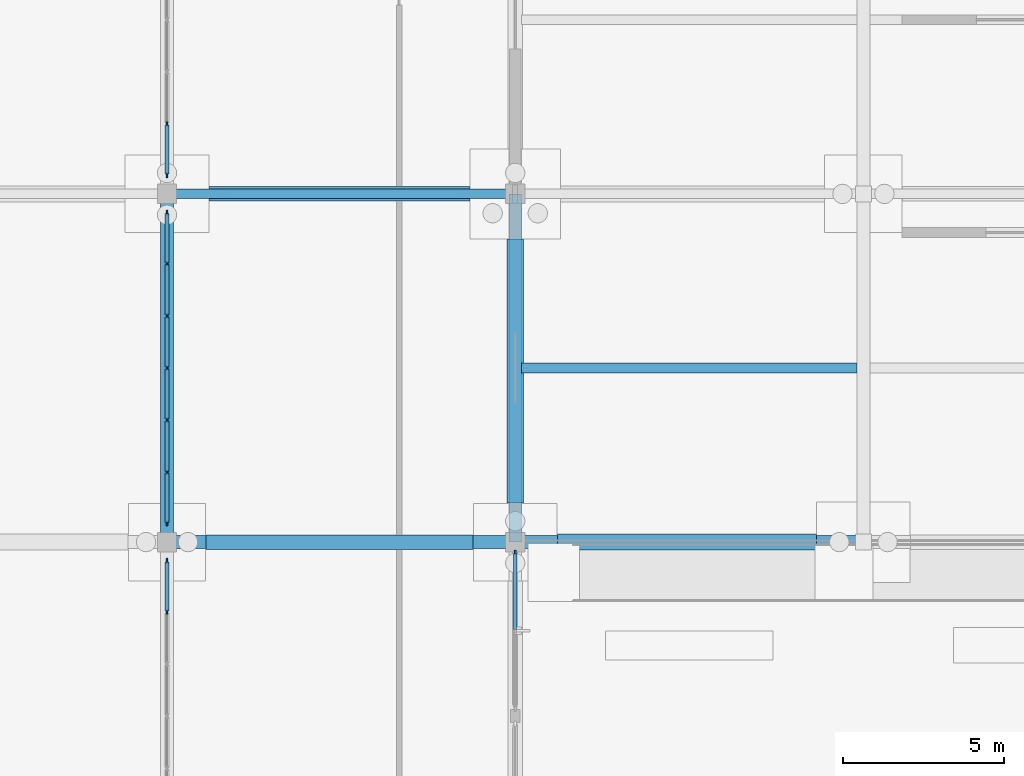
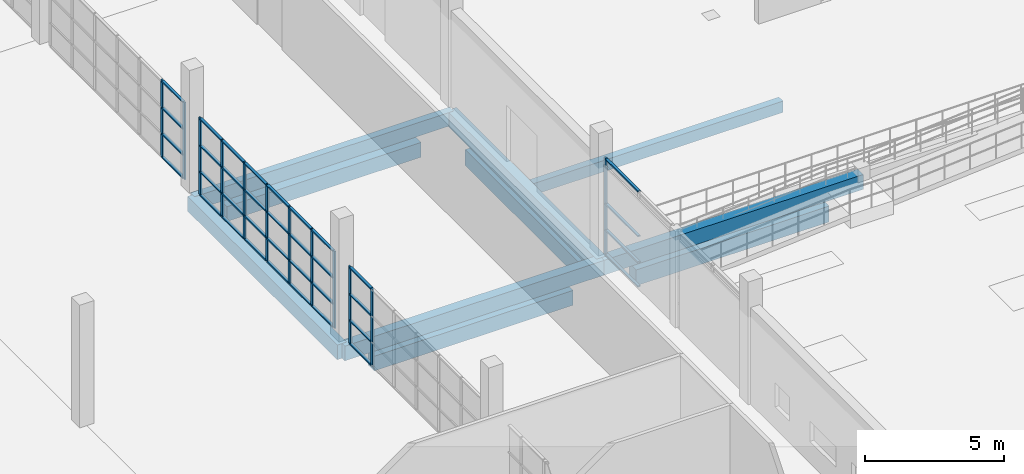
# One storey, part 26 of 138: 48 members, 10 beams, 4 elements without a shape of their own.
"""IFC4 building model written with IfcOpenShell, lengths in metres."""

from ifc_helpers import new_model, si_unit, direction, frame, origin, origin_2d, place, context, subcontext, project, spatial, rectangle, extrude, material, material_profile, profile_set, type_object, element, aggregate, save


model = new_model("IFC4")

# Units and contexts
model_context = context("Model", 3, precision=1e-05, world=origin(), true_north=direction((0.0, 1.0)))
body_context = subcontext(model_context, "Body", "Model", "MODEL_VIEW")
ifc_project = project(units=[si_unit("LENGTHUNIT", "METRE"), si_unit("AREAUNIT", "SQUARE_METRE"), si_unit("VOLUMEUNIT", "CUBIC_METRE"), si_unit("PLANEANGLEUNIT", "RADIAN"), si_unit("MASSUNIT", "GRAM", prefix="KILO")], contexts=[model_context])

# Site, building, storey
site_placement = place(None, origin())
site = spatial("IfcSite", under=ifc_project, at=site_placement, CompositionType="ELEMENT")
building_placement = place(site_placement, origin())
building = spatial("IfcBuilding", under=site, at=building_placement, Name="Zwinboog Wholesale Market", CompositionType="ELEMENT")
storey_placement = place(building_placement, origin())
storey = spatial("IfcBuildingStorey", under=building, at=storey_placement, Name="L00", CompositionType="ELEMENT", Elevation=0.0)

# Beams
ifc_material_1 = material(Name="Precast concrete C45/55", Category="concrete")
ifc_material_profile_1 = material_profile(ifc_material_1, rectangle(XDim=0.39990234375, YDim=0.64990234375, at=origin_2d()), Name="PC 400x650")
ifc_profile_set_1 = profile_set([ifc_material_profile_1], Name="Precast concrete C45/55")
beam_type_1 = type_object("IfcBeamType", Name="BT-05", PredefinedType="BEAM", material=ifc_profile_set_1)
for number, where, z_axis, x_axis, name in (
    (1, (32.39990234375, 32.39990234375, -0.675048828125), (1.0, 0.0, 0.0), (0.0, 1.0, 0.0), "BG-05 (BMG-L00-0324-0324-0046)"),
    (2, (32.39990234375, 32.39990234375, -0.675048828125), (0.0, 1.0, 0.0), (-1.0, 0.0, 0.0), "BG-05 (BMG-L00-0324-0324-0250)"),
    (3, (43.199951171875, 32.39990234375, -0.675048828125), (0.0, 1.0, 0.0), (-1.0, 0.0, 0.0), "BG-05 (BMG-L00-0432-0324-0262)"),
    (4, (43.199951171875, 32.39990234375, -0.675048828125), (1.0, 0.0, 0.0), (0.0, 1.0, 0.0), "BG-05 (BM-TER-L00-0001)"),
):
    element("IfcBeam", number, at=place(storey_placement, frame(where, z_axis=z_axis, x_axis=x_axis)), inside=storey, type_object=beam_type_1, Name=name, PredefinedType="BEAM", context=body_context, shape_type="SweptSolid", body=[
        extrude(rectangle(XDim=0.39990234375, YDim=0.64990234375, at=origin_2d()), origin(), (0.0, 0.0, 1.0), 10.800048828125),
    ])
ifc_material_profile_2 = material_profile(ifc_material_1, rectangle(XDim=0.300048828125, YDim=0.60009765625, at=origin_2d()), Name="PC 300x600")
ifc_profile_set_2 = profile_set([ifc_material_profile_2], Name="Precast concrete C45/55")
beam_type_2 = type_object("IfcBeamType", Name="BT-09", PredefinedType="SPANDREL", material=ifc_profile_set_2)
beam_1_placement = place(storey_placement, frame((32.39990234375, 43.199951171875, -0.64990234375), z_axis=(1.0, 0.0, 0.0), x_axis=(0.0, 1.0, 0.0)))
element("IfcBeam", 5, at=beam_1_placement, inside=storey, type_object=beam_type_2, Name="SP-02 (BMG-L00-0324-0432-0058)", PredefinedType="SPANDREL", context=body_context, shape_type="SweptSolid", body=[
    extrude(rectangle(XDim=0.300048828125, YDim=0.60009765625, at=origin_2d()), origin(), (0.0, 0.0, 1.0), 10.800048828125),
])
ifc_material_profile_3 = material_profile(ifc_material_1, rectangle(XDim=0.300048828125, YDim=0.5, at=origin_2d()), Name="PC 300x500")
ifc_profile_set_3 = profile_set([ifc_material_profile_3], Name="Precast concrete C45/55")
beam_type_3 = type_object("IfcBeamType", Name="BT-10", PredefinedType="JOIST", material=ifc_profile_set_3)
beam_2_placement = place(storey_placement, frame((43.39990234375, 37.800048828125, -0.60009765625), z_axis=(1.0, 0.0, 0.0), x_axis=(0.0, 1.0, 0.0)))
element("IfcBeam", 6, at=beam_2_placement, inside=storey, type_object=beam_type_3, Name="BJ-01 (BM-TER-L00-0030)", PredefinedType="JOIST", context=body_context, shape_type="SweptSolid", body=[
    extrude(rectangle(XDim=0.300048828125, YDim=0.5, at=origin_2d()), origin(), (0.0, 0.0, 1.0), 10.400146484375),
])
ifc_material_2 = material(Name="Concrete C35/45", Category="concrete")
ifc_material_profile_4 = material_profile(ifc_material_2, rectangle(XDim=0.5, YDim=0.699951171875, at=origin_2d()), Name="RC 500x700")
ifc_profile_set_4 = profile_set([ifc_material_profile_4], Name="Concrete C35/45")
beam_type_4 = type_object("IfcBeamType", Name="BT-12", PredefinedType="USERDEFINED", material=ifc_profile_set_4)
beam_3_placement = place(storey_placement, frame((44.5048828125, 32.39990234375, -1.550048828125), z_axis=(1.0, 0.0, 0.0), x_axis=(0.0, 1.0, 0.0)))
element("IfcBeam", 7, at=beam_3_placement, inside=storey, type_object=beam_type_4, Name="GB-01 (BM-GB-0019)", ObjectType="GROUND_BEAM", PredefinedType="USERDEFINED", context=body_context, shape_type="SweptSolid", body=[
    extrude(rectangle(XDim=0.5, YDim=0.699951171875, at=origin_2d()), origin(), (0.0, 0.0, 1.0), 8.0400390625),
])
beam_4_placement = place(storey_placement, frame((43.199951171875, 33.60498046875, -1.550048828125), z_axis=(0.0, 1.0, 0.0), x_axis=(-1.0, 0.0, 0.0)))
element("IfcBeam", 8, at=beam_4_placement, inside=storey, type_object=beam_type_4, Name="GB-01 (BM-GB-0142)", ObjectType="GROUND_BEAM", PredefinedType="USERDEFINED", context=body_context, shape_type="SweptSolid", body=[
    extrude(rectangle(XDim=0.5, YDim=0.699951171875, at=origin_2d()), origin(), (0.0, 0.0, 1.0), 8.18994140625),
])
ifc_material_profile_5 = material_profile(ifc_material_2, rectangle(XDim=0.449951171875, YDim=0.64990234375, at=origin_2d()), Name="RC 450x650")
ifc_profile_set_5 = profile_set([ifc_material_profile_5], Name="Concrete C35/45")
beam_type_5 = type_object("IfcBeamType", Name="BT-13", PredefinedType="USERDEFINED", material=ifc_profile_set_5)
beam_5_placement = place(storey_placement, frame((33.60498046875, 32.39990234375, -1.52490234375), z_axis=(1.0, 0.0, 0.0), x_axis=(0.0, 1.0, 0.0)))
element("IfcBeam", 9, at=beam_5_placement, inside=storey, type_object=beam_type_5, Name="GB-02 (BM-GB-0018)", ObjectType="GROUND_BEAM", PredefinedType="USERDEFINED", context=body_context, shape_type="SweptSolid", body=[
    extrude(rectangle(XDim=0.449951171875, YDim=0.64990234375, at=origin_2d()), origin(), (0.0, 0.0, 1.0), 8.2900390625),
])
beam_6_placement = place(storey_placement, frame((33.705078125, 43.199951171875, -1.52490234375), z_axis=(1.0, 0.0, 0.0), x_axis=(0.0, 1.0, 0.0)))
element("IfcBeam", 10, at=beam_6_placement, inside=storey, type_object=beam_type_5, Name="GB-02 (BM-GB-0036)", ObjectType="GROUND_BEAM", PredefinedType="USERDEFINED", context=body_context, shape_type="SweptSolid", body=[
    extrude(rectangle(XDim=0.449951171875, YDim=0.64990234375, at=origin_2d()), origin(), (0.0, 0.0, 1.0), 8.08984375),
])

# Curtain wall, members
ifc_material_3 = material(Name="Aluminium thermally broken curtain wall", Category="aluminium")
curtain_wall_type_1 = type_object("IfcCurtainWallType", Name="CWT-OFF-15", PredefinedType="USERDEFINED", material=ifc_material_3)
curtain_wall_1_placement = place(storey_placement, origin())
curtain_wall_1 = element("IfcCurtainWall", 11, at=curtain_wall_1_placement, inside=storey, type_object=curtain_wall_type_1, Name="CW-06 (CW-L00-024)", ObjectType="UNITIZED_CURTAIN_WALL", PredefinedType="USERDEFINED")
ifc_material_4 = material(Name="Aluminium EN AW-6060", Category="aluminium")
ifc_material_profile_6 = material_profile(ifc_material_4, rectangle(XDim=0.06005859375, YDim=0.14990234375, at=origin_2d()), Name="AL 60x150")
ifc_profile_set_6 = profile_set([ifc_material_profile_6], Name="Aluminium EN AW-6060")
member_type_1 = type_object("IfcMemberType", Name="CWM-60x150", PredefinedType="MULLION", material=ifc_profile_set_6)
member_1_placement = place(storey_placement, frame((43.199951171875, 32.074951171875, 0.0), z_axis=(0.0, 0.0, 1.0), x_axis=(-1.0, 0.0, 0.0)))
member_1 = element("IfcMember", 12, at=member_1_placement, type_object=member_type_1, Name="CW-06 mullion 3", PredefinedType="MULLION", context=body_context, shape_type="SweptSolid", body=[
    extrude(rectangle(XDim=0.06005859375, YDim=0.14990234375, at=origin_2d()), origin(), (0.0, 0.0, 1.0), 4.25),
])
ifc_material_profile_7 = material_profile(ifc_material_4, rectangle(XDim=0.110107421875, YDim=0.06005859375, at=origin_2d()), Name="AL 60x110")
ifc_profile_set_7 = profile_set([ifc_material_profile_7], Name="Aluminium EN AW-6060")
member_type_2 = type_object("IfcMemberType", Name="CWT-60x110", PredefinedType="USERDEFINED", material=ifc_profile_set_7)
member_2_placement = place(storey_placement, frame((43.199951171875, 29.6826171875, 0.030029296875), z_axis=(0.0, 1.0, 0.0), x_axis=(-1.0, 0.0, 0.0)))
member_2 = element("IfcMember", 13, at=member_2_placement, type_object=member_type_2, Name="CW-06 transom 2.1", ObjectType="TRANSOM", PredefinedType="USERDEFINED", context=body_context, shape_type="SweptSolid", body=[
    extrude(rectangle(XDim=0.110107421875, YDim=0.06005859375, at=origin_2d()), origin(), (0.0, 0.0, 1.0), 2.3623046875),
])
member_3_placement = place(storey_placement, frame((43.199951171875, 29.6826171875, 1.10009765625), z_axis=(0.0, 1.0, 0.0), x_axis=(-1.0, 0.0, 0.0)))
member_3 = element("IfcMember", 14, at=member_3_placement, type_object=member_type_2, Name="CW-06 transom 2.2", ObjectType="TRANSOM", PredefinedType="USERDEFINED", context=body_context, shape_type="SweptSolid", body=[
    extrude(rectangle(XDim=0.110107421875, YDim=0.06005859375, at=origin_2d()), origin(), (0.0, 0.0, 1.0), 2.3623046875),
])
member_4_placement = place(storey_placement, frame((43.199951171875, 29.6826171875, 2.25), z_axis=(0.0, 1.0, 0.0), x_axis=(-1.0, 0.0, 0.0)))
member_4 = element("IfcMember", 15, at=member_4_placement, type_object=member_type_2, Name="CW-06 transom 2.3", ObjectType="TRANSOM", PredefinedType="USERDEFINED", context=body_context, shape_type="SweptSolid", body=[
    extrude(rectangle(XDim=0.110107421875, YDim=0.06005859375, at=origin_2d()), origin(), (0.0, 0.0, 1.0), 2.3623046875),
])
member_5_placement = place(storey_placement, frame((43.199951171875, 29.6826171875, 4.219970703125), z_axis=(0.0, 1.0, 0.0), x_axis=(-1.0, 0.0, 0.0)))
member_5 = element("IfcMember", 16, at=member_5_placement, type_object=member_type_2, Name="CW-06 transom 2.4", ObjectType="TRANSOM", PredefinedType="USERDEFINED", context=body_context, shape_type="SweptSolid", body=[
    extrude(rectangle(XDim=0.110107421875, YDim=0.06005859375, at=origin_2d()), origin(), (0.0, 0.0, 1.0), 2.3623046875),
])
aggregate(curtain_wall_1, [member_1, member_2, member_3, member_4, member_5])

curtain_wall_type_2 = type_object("IfcCurtainWallType", Name="CWT-INT-STALL", PredefinedType="USERDEFINED", material=ifc_material_3)
curtain_wall_2_placement = place(storey_placement, origin())
curtain_wall_2 = element("IfcCurtainWall", 17, at=curtain_wall_2_placement, inside=storey, type_object=curtain_wall_type_2, Name="CW-07 (CW-STL-219)", ObjectType="STOREFRONT_GLAZING", PredefinedType="USERDEFINED")
ifc_material_profile_8 = material_profile(ifc_material_4, rectangle(XDim=0.06005859375, YDim=0.14990234375, at=origin_2d()), Name="AL 60x150")
ifc_profile_set_8 = profile_set([ifc_material_profile_8], Name="Aluminium EN AW-6060")
member_type_3 = type_object("IfcMemberType", Name="CWM-INT-60x120", PredefinedType="MULLION", material=ifc_profile_set_8)
member_6_placement = place(storey_placement, frame((32.39990234375, 30.2333984375, 0.0), z_axis=(0.0, 0.0, 1.0), x_axis=(-1.0, 0.0, 0.0)))
member_6 = element("IfcMember", 18, at=member_6_placement, type_object=member_type_3, Name="CW-07 mullion 6", PredefinedType="MULLION", context=body_context, shape_type="SweptSolid", body=[
    extrude(rectangle(XDim=0.06005859375, YDim=0.14990234375, at=origin_2d()), origin(), (0.0, 0.0, 1.0), 3.39990234375),
])
member_7_placement = place(storey_placement, frame((32.39990234375, 31.820068359375, 0.0), z_axis=(0.0, 0.0, 1.0), x_axis=(-1.0, 0.0, 0.0)))
member_7 = element("IfcMember", 19, at=member_7_placement, type_object=member_type_3, Name="CW-07 mullion 7", PredefinedType="MULLION", context=body_context, shape_type="SweptSolid", body=[
    extrude(rectangle(XDim=0.06005859375, YDim=0.14990234375, at=origin_2d()), origin(), (0.0, 0.0, 1.0), 3.39990234375),
])

curtain_wall_3_placement = place(storey_placement, origin())
curtain_wall_3 = element("IfcCurtainWall", 20, at=curtain_wall_3_placement, inside=storey, type_object=curtain_wall_type_2, Name="CW-07 (CW-STL-220)", ObjectType="STOREFRONT_GLAZING", PredefinedType="USERDEFINED")
member_8_placement = place(storey_placement, frame((32.39990234375, 32.97998046875, 0.0), z_axis=(0.0, 0.0, 1.0), x_axis=(-1.0, 0.0, 0.0)))
member_8 = element("IfcMember", 21, at=member_8_placement, type_object=member_type_3, Name="CW-07 mullion 1", PredefinedType="MULLION", context=body_context, shape_type="SweptSolid", body=[
    extrude(rectangle(XDim=0.06005859375, YDim=0.14990234375, at=origin_2d()), origin(), (0.0, 0.0, 1.0), 3.39990234375),
])
member_9_placement = place(storey_placement, frame((32.39990234375, 34.566650390625, 0.0), z_axis=(0.0, 0.0, 1.0), x_axis=(-1.0, 0.0, 0.0)))
member_9 = element("IfcMember", 22, at=member_9_placement, type_object=member_type_3, Name="CW-07 mullion 2", PredefinedType="MULLION", context=body_context, shape_type="SweptSolid", body=[
    extrude(rectangle(XDim=0.06005859375, YDim=0.14990234375, at=origin_2d()), origin(), (0.0, 0.0, 1.0), 3.39990234375),
])
member_10_placement = place(storey_placement, frame((32.39990234375, 36.183349609375, 0.0), z_axis=(0.0, 0.0, 1.0), x_axis=(-1.0, 0.0, 0.0)))
member_10 = element("IfcMember", 23, at=member_10_placement, type_object=member_type_3, Name="CW-07 mullion 3", PredefinedType="MULLION", context=body_context, shape_type="SweptSolid", body=[
    extrude(rectangle(XDim=0.06005859375, YDim=0.14990234375, at=origin_2d()), origin(), (0.0, 0.0, 1.0), 3.39990234375),
])
member_11_placement = place(storey_placement, frame((32.39990234375, 37.800048828125, 0.0), z_axis=(0.0, 0.0, 1.0), x_axis=(-1.0, 0.0, 0.0)))
member_11 = element("IfcMember", 24, at=member_11_placement, type_object=member_type_3, Name="CW-07 mullion 4", PredefinedType="MULLION", context=body_context, shape_type="SweptSolid", body=[
    extrude(rectangle(XDim=0.06005859375, YDim=0.14990234375, at=origin_2d()), origin(), (0.0, 0.0, 1.0), 3.39990234375),
])
member_12_placement = place(storey_placement, frame((32.39990234375, 39.416748046875, 0.0), z_axis=(0.0, 0.0, 1.0), x_axis=(-1.0, 0.0, 0.0)))
member_12 = element("IfcMember", 25, at=member_12_placement, type_object=member_type_3, Name="CW-07 mullion 5", PredefinedType="MULLION", context=body_context, shape_type="SweptSolid", body=[
    extrude(rectangle(XDim=0.06005859375, YDim=0.14990234375, at=origin_2d()), origin(), (0.0, 0.0, 1.0), 3.39990234375),
])
member_13_placement = place(storey_placement, frame((32.39990234375, 41.033447265625, 0.0), z_axis=(0.0, 0.0, 1.0), x_axis=(-1.0, 0.0, 0.0)))
member_13 = element("IfcMember", 26, at=member_13_placement, type_object=member_type_3, Name="CW-07 mullion 6", PredefinedType="MULLION", context=body_context, shape_type="SweptSolid", body=[
    extrude(rectangle(XDim=0.06005859375, YDim=0.14990234375, at=origin_2d()), origin(), (0.0, 0.0, 1.0), 3.39990234375),
])
member_14_placement = place(storey_placement, frame((32.39990234375, 42.6201171875, 0.0), z_axis=(0.0, 0.0, 1.0), x_axis=(-1.0, 0.0, 0.0)))
member_14 = element("IfcMember", 27, at=member_14_placement, type_object=member_type_3, Name="CW-07 mullion 7", PredefinedType="MULLION", context=body_context, shape_type="SweptSolid", body=[
    extrude(rectangle(XDim=0.06005859375, YDim=0.14990234375, at=origin_2d()), origin(), (0.0, 0.0, 1.0), 3.39990234375),
])

curtain_wall_4_placement = place(storey_placement, origin())
curtain_wall_4 = element("IfcCurtainWall", 28, at=curtain_wall_4_placement, inside=storey, type_object=curtain_wall_type_2, Name="CW-07 (CW-STL-221)", ObjectType="STOREFRONT_GLAZING", PredefinedType="USERDEFINED")
member_15_placement = place(storey_placement, frame((32.39990234375, 43.780029296875, 0.0), z_axis=(0.0, 0.0, 1.0), x_axis=(-1.0, 0.0, 0.0)))
member_15 = element("IfcMember", 29, at=member_15_placement, type_object=member_type_3, Name="CW-07 mullion 1", PredefinedType="MULLION", context=body_context, shape_type="SweptSolid", body=[
    extrude(rectangle(XDim=0.06005859375, YDim=0.14990234375, at=origin_2d()), origin(), (0.0, 0.0, 1.0), 3.39990234375),
])
member_16_placement = place(storey_placement, frame((32.39990234375, 45.36669921875, 0.0), z_axis=(0.0, 0.0, 1.0), x_axis=(-1.0, 0.0, 0.0)))
member_16 = element("IfcMember", 30, at=member_16_placement, type_object=member_type_3, Name="CW-07 mullion 2", PredefinedType="MULLION", context=body_context, shape_type="SweptSolid", body=[
    extrude(rectangle(XDim=0.06005859375, YDim=0.14990234375, at=origin_2d()), origin(), (0.0, 0.0, 1.0), 3.39990234375),
])

# Member
ifc_material_profile_9 = material_profile(ifc_material_4, rectangle(XDim=0.110107421875, YDim=0.06005859375, at=origin_2d()), Name="AL 60x110")
ifc_profile_set_9 = profile_set([ifc_material_profile_9], Name="Aluminium EN AW-6060")
member_type_4 = type_object("IfcMemberType", Name="CWT-INT-60x100", PredefinedType="USERDEFINED", material=ifc_profile_set_9)
member_17_placement = place(storey_placement, frame((32.39990234375, 30.263427734375, 0.030029296875), z_axis=(0.0, 1.0, 0.0), x_axis=(-1.0, 0.0, 0.0)))
member_17 = element("IfcMember", 31, at=member_17_placement, type_object=member_type_4, Name="CW-07 transom 6.1", ObjectType="TRANSOM", PredefinedType="USERDEFINED", context=body_context, shape_type="SweptSolid", body=[
    extrude(rectangle(XDim=0.110107421875, YDim=0.06005859375, at=origin_2d()), origin(), (0.0, 0.0, 1.0), 1.526611328125),
])

member_18_placement = place(storey_placement, frame((32.39990234375, 30.263427734375, 1.050048828125), z_axis=(0.0, 1.0, 0.0), x_axis=(-1.0, 0.0, 0.0)))
member_18 = element("IfcMember", 32, at=member_18_placement, type_object=member_type_4, Name="CW-07 transom 6.2", ObjectType="TRANSOM", PredefinedType="USERDEFINED", context=body_context, shape_type="SweptSolid", body=[
    extrude(rectangle(XDim=0.110107421875, YDim=0.06005859375, at=origin_2d()), origin(), (0.0, 0.0, 1.0), 1.526611328125),
])

member_19_placement = place(storey_placement, frame((32.39990234375, 30.263427734375, 2.199951171875), z_axis=(0.0, 1.0, 0.0), x_axis=(-1.0, 0.0, 0.0)))
member_19 = element("IfcMember", 33, at=member_19_placement, type_object=member_type_4, Name="CW-07 transom 6.3", ObjectType="TRANSOM", PredefinedType="USERDEFINED", context=body_context, shape_type="SweptSolid", body=[
    extrude(rectangle(XDim=0.110107421875, YDim=0.06005859375, at=origin_2d()), origin(), (0.0, 0.0, 1.0), 1.526611328125),
])

member_20_placement = place(storey_placement, frame((32.39990234375, 30.263427734375, 3.3701171875), z_axis=(0.0, 1.0, 0.0), x_axis=(-1.0, 0.0, 0.0)))
member_20 = element("IfcMember", 34, at=member_20_placement, type_object=member_type_4, Name="CW-07 transom 6.4", ObjectType="TRANSOM", PredefinedType="USERDEFINED", context=body_context, shape_type="SweptSolid", body=[
    extrude(rectangle(XDim=0.110107421875, YDim=0.06005859375, at=origin_2d()), origin(), (0.0, 0.0, 1.0), 1.526611328125),
])

aggregate(curtain_wall_2, [member_6, member_7, member_17, member_18, member_19, member_20])

member_21_placement = place(storey_placement, frame((32.39990234375, 33.010009765625, 0.030029296875), z_axis=(0.0, 1.0, 0.0), x_axis=(-1.0, 0.0, 0.0)))
member_21 = element("IfcMember", 35, at=member_21_placement, type_object=member_type_4, Name="CW-07 transom 1.1", ObjectType="TRANSOM", PredefinedType="USERDEFINED", context=body_context, shape_type="SweptSolid", body=[
    extrude(rectangle(XDim=0.110107421875, YDim=0.06005859375, at=origin_2d()), origin(), (0.0, 0.0, 1.0), 1.526611328125),
])

member_22_placement = place(storey_placement, frame((32.39990234375, 33.010009765625, 1.050048828125), z_axis=(0.0, 1.0, 0.0), x_axis=(-1.0, 0.0, 0.0)))
member_22 = element("IfcMember", 36, at=member_22_placement, type_object=member_type_4, Name="CW-07 transom 1.2", ObjectType="TRANSOM", PredefinedType="USERDEFINED", context=body_context, shape_type="SweptSolid", body=[
    extrude(rectangle(XDim=0.110107421875, YDim=0.06005859375, at=origin_2d()), origin(), (0.0, 0.0, 1.0), 1.526611328125),
])

member_23_placement = place(storey_placement, frame((32.39990234375, 33.010009765625, 2.199951171875), z_axis=(0.0, 1.0, 0.0), x_axis=(-1.0, 0.0, 0.0)))
member_23 = element("IfcMember", 37, at=member_23_placement, type_object=member_type_4, Name="CW-07 transom 1.3", ObjectType="TRANSOM", PredefinedType="USERDEFINED", context=body_context, shape_type="SweptSolid", body=[
    extrude(rectangle(XDim=0.110107421875, YDim=0.06005859375, at=origin_2d()), origin(), (0.0, 0.0, 1.0), 1.526611328125),
])

member_24_placement = place(storey_placement, frame((32.39990234375, 33.010009765625, 3.3701171875), z_axis=(0.0, 1.0, 0.0), x_axis=(-1.0, 0.0, 0.0)))
member_24 = element("IfcMember", 38, at=member_24_placement, type_object=member_type_4, Name="CW-07 transom 1.4", ObjectType="TRANSOM", PredefinedType="USERDEFINED", context=body_context, shape_type="SweptSolid", body=[
    extrude(rectangle(XDim=0.110107421875, YDim=0.06005859375, at=origin_2d()), origin(), (0.0, 0.0, 1.0), 1.526611328125),
])

member_25_placement = place(storey_placement, frame((32.39990234375, 34.5966796875, 0.030029296875), z_axis=(0.0, 1.0, 0.0), x_axis=(-1.0, 0.0, 0.0)))
member_25 = element("IfcMember", 39, at=member_25_placement, type_object=member_type_4, Name="CW-07 transom 2.1", ObjectType="TRANSOM", PredefinedType="USERDEFINED", context=body_context, shape_type="SweptSolid", body=[
    extrude(rectangle(XDim=0.110107421875, YDim=0.06005859375, at=origin_2d()), origin(), (0.0, 0.0, 1.0), 1.556640625),
])

member_26_placement = place(storey_placement, frame((32.39990234375, 34.5966796875, 1.050048828125), z_axis=(0.0, 1.0, 0.0), x_axis=(-1.0, 0.0, 0.0)))
member_26 = element("IfcMember", 40, at=member_26_placement, type_object=member_type_4, Name="CW-07 transom 2.2", ObjectType="TRANSOM", PredefinedType="USERDEFINED", context=body_context, shape_type="SweptSolid", body=[
    extrude(rectangle(XDim=0.110107421875, YDim=0.06005859375, at=origin_2d()), origin(), (0.0, 0.0, 1.0), 1.556640625),
])

member_27_placement = place(storey_placement, frame((32.39990234375, 34.5966796875, 2.199951171875), z_axis=(0.0, 1.0, 0.0), x_axis=(-1.0, 0.0, 0.0)))
member_27 = element("IfcMember", 41, at=member_27_placement, type_object=member_type_4, Name="CW-07 transom 2.3", ObjectType="TRANSOM", PredefinedType="USERDEFINED", context=body_context, shape_type="SweptSolid", body=[
    extrude(rectangle(XDim=0.110107421875, YDim=0.06005859375, at=origin_2d()), origin(), (0.0, 0.0, 1.0), 1.556640625),
])

member_28_placement = place(storey_placement, frame((32.39990234375, 34.5966796875, 3.3701171875), z_axis=(0.0, 1.0, 0.0), x_axis=(-1.0, 0.0, 0.0)))
member_28 = element("IfcMember", 42, at=member_28_placement, type_object=member_type_4, Name="CW-07 transom 2.4", ObjectType="TRANSOM", PredefinedType="USERDEFINED", context=body_context, shape_type="SweptSolid", body=[
    extrude(rectangle(XDim=0.110107421875, YDim=0.06005859375, at=origin_2d()), origin(), (0.0, 0.0, 1.0), 1.556640625),
])

member_29_placement = place(storey_placement, frame((32.39990234375, 36.21337890625, 0.030029296875), z_axis=(0.0, 1.0, 0.0), x_axis=(-1.0, 0.0, 0.0)))
member_29 = element("IfcMember", 43, at=member_29_placement, type_object=member_type_4, Name="CW-07 transom 3.1", ObjectType="TRANSOM", PredefinedType="USERDEFINED", context=body_context, shape_type="SweptSolid", body=[
    extrude(rectangle(XDim=0.110107421875, YDim=0.06005859375, at=origin_2d()), origin(), (0.0, 0.0, 1.0), 1.556640625),
])

member_30_placement = place(storey_placement, frame((32.39990234375, 36.21337890625, 1.050048828125), z_axis=(0.0, 1.0, 0.0), x_axis=(-1.0, 0.0, 0.0)))
member_30 = element("IfcMember", 44, at=member_30_placement, type_object=member_type_4, Name="CW-07 transom 3.2", ObjectType="TRANSOM", PredefinedType="USERDEFINED", context=body_context, shape_type="SweptSolid", body=[
    extrude(rectangle(XDim=0.110107421875, YDim=0.06005859375, at=origin_2d()), origin(), (0.0, 0.0, 1.0), 1.556640625),
])

member_31_placement = place(storey_placement, frame((32.39990234375, 36.21337890625, 2.199951171875), z_axis=(0.0, 1.0, 0.0), x_axis=(-1.0, 0.0, 0.0)))
member_31 = element("IfcMember", 45, at=member_31_placement, type_object=member_type_4, Name="CW-07 transom 3.3", ObjectType="TRANSOM", PredefinedType="USERDEFINED", context=body_context, shape_type="SweptSolid", body=[
    extrude(rectangle(XDim=0.110107421875, YDim=0.06005859375, at=origin_2d()), origin(), (0.0, 0.0, 1.0), 1.556640625),
])

member_32_placement = place(storey_placement, frame((32.39990234375, 36.21337890625, 3.3701171875), z_axis=(0.0, 1.0, 0.0), x_axis=(-1.0, 0.0, 0.0)))
member_32 = element("IfcMember", 46, at=member_32_placement, type_object=member_type_4, Name="CW-07 transom 3.4", ObjectType="TRANSOM", PredefinedType="USERDEFINED", context=body_context, shape_type="SweptSolid", body=[
    extrude(rectangle(XDim=0.110107421875, YDim=0.06005859375, at=origin_2d()), origin(), (0.0, 0.0, 1.0), 1.556640625),
])

member_33_placement = place(storey_placement, frame((32.39990234375, 37.830078125, 0.030029296875), z_axis=(0.0, 1.0, 0.0), x_axis=(-1.0, 0.0, 0.0)))
member_33 = element("IfcMember", 47, at=member_33_placement, type_object=member_type_4, Name="CW-07 transom 4.1", ObjectType="TRANSOM", PredefinedType="USERDEFINED", context=body_context, shape_type="SweptSolid", body=[
    extrude(rectangle(XDim=0.110107421875, YDim=0.06005859375, at=origin_2d()), origin(), (0.0, 0.0, 1.0), 1.556640625),
])

member_34_placement = place(storey_placement, frame((32.39990234375, 37.830078125, 1.050048828125), z_axis=(0.0, 1.0, 0.0), x_axis=(-1.0, 0.0, 0.0)))
member_34 = element("IfcMember", 48, at=member_34_placement, type_object=member_type_4, Name="CW-07 transom 4.2", ObjectType="TRANSOM", PredefinedType="USERDEFINED", context=body_context, shape_type="SweptSolid", body=[
    extrude(rectangle(XDim=0.110107421875, YDim=0.06005859375, at=origin_2d()), origin(), (0.0, 0.0, 1.0), 1.556640625),
])

member_35_placement = place(storey_placement, frame((32.39990234375, 37.830078125, 2.199951171875), z_axis=(0.0, 1.0, 0.0), x_axis=(-1.0, 0.0, 0.0)))
member_35 = element("IfcMember", 49, at=member_35_placement, type_object=member_type_4, Name="CW-07 transom 4.3", ObjectType="TRANSOM", PredefinedType="USERDEFINED", context=body_context, shape_type="SweptSolid", body=[
    extrude(rectangle(XDim=0.110107421875, YDim=0.06005859375, at=origin_2d()), origin(), (0.0, 0.0, 1.0), 1.556640625),
])

member_36_placement = place(storey_placement, frame((32.39990234375, 37.830078125, 3.3701171875), z_axis=(0.0, 1.0, 0.0), x_axis=(-1.0, 0.0, 0.0)))
member_36 = element("IfcMember", 50, at=member_36_placement, type_object=member_type_4, Name="CW-07 transom 4.4", ObjectType="TRANSOM", PredefinedType="USERDEFINED", context=body_context, shape_type="SweptSolid", body=[
    extrude(rectangle(XDim=0.110107421875, YDim=0.06005859375, at=origin_2d()), origin(), (0.0, 0.0, 1.0), 1.556640625),
])

member_37_placement = place(storey_placement, frame((32.39990234375, 39.44677734375, 0.030029296875), z_axis=(0.0, 1.0, 0.0), x_axis=(-1.0, 0.0, 0.0)))
member_37 = element("IfcMember", 51, at=member_37_placement, type_object=member_type_4, Name="CW-07 transom 5.1", ObjectType="TRANSOM", PredefinedType="USERDEFINED", context=body_context, shape_type="SweptSolid", body=[
    extrude(rectangle(XDim=0.110107421875, YDim=0.06005859375, at=origin_2d()), origin(), (0.0, 0.0, 1.0), 1.556640625),
])

member_38_placement = place(storey_placement, frame((32.39990234375, 39.44677734375, 1.050048828125), z_axis=(0.0, 1.0, 0.0), x_axis=(-1.0, 0.0, 0.0)))
member_38 = element("IfcMember", 52, at=member_38_placement, type_object=member_type_4, Name="CW-07 transom 5.2", ObjectType="TRANSOM", PredefinedType="USERDEFINED", context=body_context, shape_type="SweptSolid", body=[
    extrude(rectangle(XDim=0.110107421875, YDim=0.06005859375, at=origin_2d()), origin(), (0.0, 0.0, 1.0), 1.556640625),
])

member_39_placement = place(storey_placement, frame((32.39990234375, 39.44677734375, 2.199951171875), z_axis=(0.0, 1.0, 0.0), x_axis=(-1.0, 0.0, 0.0)))
member_39 = element("IfcMember", 53, at=member_39_placement, type_object=member_type_4, Name="CW-07 transom 5.3", ObjectType="TRANSOM", PredefinedType="USERDEFINED", context=body_context, shape_type="SweptSolid", body=[
    extrude(rectangle(XDim=0.110107421875, YDim=0.06005859375, at=origin_2d()), origin(), (0.0, 0.0, 1.0), 1.556640625),
])

member_40_placement = place(storey_placement, frame((32.39990234375, 39.44677734375, 3.3701171875), z_axis=(0.0, 1.0, 0.0), x_axis=(-1.0, 0.0, 0.0)))
member_40 = element("IfcMember", 54, at=member_40_placement, type_object=member_type_4, Name="CW-07 transom 5.4", ObjectType="TRANSOM", PredefinedType="USERDEFINED", context=body_context, shape_type="SweptSolid", body=[
    extrude(rectangle(XDim=0.110107421875, YDim=0.06005859375, at=origin_2d()), origin(), (0.0, 0.0, 1.0), 1.556640625),
])

member_41_placement = place(storey_placement, frame((32.39990234375, 41.063232421875, 0.030029296875), z_axis=(0.0, 1.0, 0.0), x_axis=(-1.0, 0.0, 0.0)))
member_41 = element("IfcMember", 55, at=member_41_placement, type_object=member_type_4, Name="CW-07 transom 6.1", ObjectType="TRANSOM", PredefinedType="USERDEFINED", context=body_context, shape_type="SweptSolid", body=[
    extrude(rectangle(XDim=0.110107421875, YDim=0.06005859375, at=origin_2d()), origin(), (0.0, 0.0, 1.0), 1.52685546875),
])

member_42_placement = place(storey_placement, frame((32.39990234375, 41.063232421875, 1.050048828125), z_axis=(0.0, 1.0, 0.0), x_axis=(-1.0, 0.0, 0.0)))
member_42 = element("IfcMember", 56, at=member_42_placement, type_object=member_type_4, Name="CW-07 transom 6.2", ObjectType="TRANSOM", PredefinedType="USERDEFINED", context=body_context, shape_type="SweptSolid", body=[
    extrude(rectangle(XDim=0.110107421875, YDim=0.06005859375, at=origin_2d()), origin(), (0.0, 0.0, 1.0), 1.52685546875),
])

member_43_placement = place(storey_placement, frame((32.39990234375, 41.063232421875, 2.199951171875), z_axis=(0.0, 1.0, 0.0), x_axis=(-1.0, 0.0, 0.0)))
member_43 = element("IfcMember", 57, at=member_43_placement, type_object=member_type_4, Name="CW-07 transom 6.3", ObjectType="TRANSOM", PredefinedType="USERDEFINED", context=body_context, shape_type="SweptSolid", body=[
    extrude(rectangle(XDim=0.110107421875, YDim=0.06005859375, at=origin_2d()), origin(), (0.0, 0.0, 1.0), 1.52685546875),
])

member_44_placement = place(storey_placement, frame((32.39990234375, 41.063232421875, 3.3701171875), z_axis=(0.0, 1.0, 0.0), x_axis=(-1.0, 0.0, 0.0)))
member_44 = element("IfcMember", 58, at=member_44_placement, type_object=member_type_4, Name="CW-07 transom 6.4", ObjectType="TRANSOM", PredefinedType="USERDEFINED", context=body_context, shape_type="SweptSolid", body=[
    extrude(rectangle(XDim=0.110107421875, YDim=0.06005859375, at=origin_2d()), origin(), (0.0, 0.0, 1.0), 1.52685546875),
])

aggregate(curtain_wall_3, [member_8, member_9, member_10, member_11, member_12, member_13, member_14, member_21, member_22, member_23, member_24, member_25, member_26, member_27, member_28, member_29, member_30, member_31, member_32, member_33, member_34, member_35, member_36, member_37, member_38, member_39, member_40, member_41, member_42, member_43, member_44])

member_45_placement = place(storey_placement, frame((32.39990234375, 43.81005859375, 0.030029296875), z_axis=(0.0, 1.0, 0.0), x_axis=(-1.0, 0.0, 0.0)))
member_45 = element("IfcMember", 59, at=member_45_placement, type_object=member_type_4, Name="CW-07 transom 1.1", ObjectType="TRANSOM", PredefinedType="USERDEFINED", context=body_context, shape_type="SweptSolid", body=[
    extrude(rectangle(XDim=0.110107421875, YDim=0.06005859375, at=origin_2d()), origin(), (0.0, 0.0, 1.0), 1.526611328125),
])

member_46_placement = place(storey_placement, frame((32.39990234375, 43.81005859375, 1.050048828125), z_axis=(0.0, 1.0, 0.0), x_axis=(-1.0, 0.0, 0.0)))
member_46 = element("IfcMember", 60, at=member_46_placement, type_object=member_type_4, Name="CW-07 transom 1.2", ObjectType="TRANSOM", PredefinedType="USERDEFINED", context=body_context, shape_type="SweptSolid", body=[
    extrude(rectangle(XDim=0.110107421875, YDim=0.06005859375, at=origin_2d()), origin(), (0.0, 0.0, 1.0), 1.526611328125),
])

member_47_placement = place(storey_placement, frame((32.39990234375, 43.81005859375, 2.199951171875), z_axis=(0.0, 1.0, 0.0), x_axis=(-1.0, 0.0, 0.0)))
member_47 = element("IfcMember", 61, at=member_47_placement, type_object=member_type_4, Name="CW-07 transom 1.3", ObjectType="TRANSOM", PredefinedType="USERDEFINED", context=body_context, shape_type="SweptSolid", body=[
    extrude(rectangle(XDim=0.110107421875, YDim=0.06005859375, at=origin_2d()), origin(), (0.0, 0.0, 1.0), 1.526611328125),
])

member_48_placement = place(storey_placement, frame((32.39990234375, 43.81005859375, 3.3701171875), z_axis=(0.0, 1.0, 0.0), x_axis=(-1.0, 0.0, 0.0)))
member_48 = element("IfcMember", 62, at=member_48_placement, type_object=member_type_4, Name="CW-07 transom 1.4", ObjectType="TRANSOM", PredefinedType="USERDEFINED", context=body_context, shape_type="SweptSolid", body=[
    extrude(rectangle(XDim=0.110107421875, YDim=0.06005859375, at=origin_2d()), origin(), (0.0, 0.0, 1.0), 1.526611328125),
])

aggregate(curtain_wall_4, [member_15, member_16, member_45, member_46, member_47, member_48])

save(model, "model.ifc")
